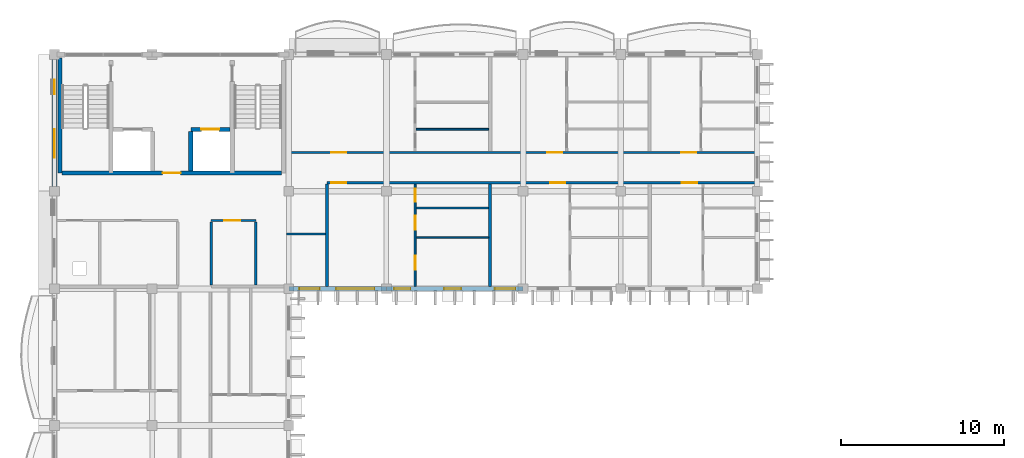
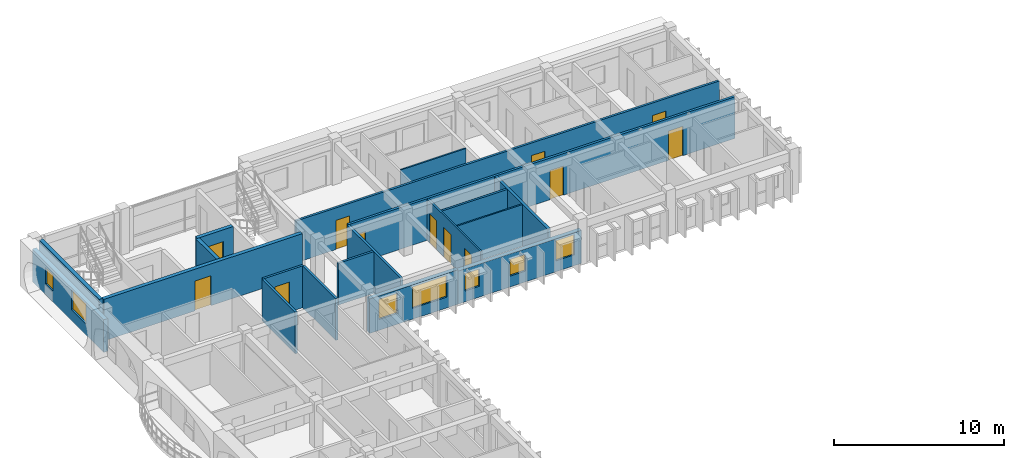
# One storey, part 19 of 59: 19 walls, 12 doors, 7 windows, 19 openings.
"""IFC4 building model written with IfcOpenShell, lengths in metres."""

from ifc_helpers import new_model, si_unit, direction, frame, frame_2d, origin, place, context, subcontext, project, spatial, rectangle, extrude, material, layer, layer_set, type_object, element, fill, save


model = new_model("IFC4")

# Units and contexts
model_context = context("Model", 3, precision=1e-05, world=origin(), true_north=direction((0.0, 1.0)))
body_context = subcontext(model_context, "Body", "Model", "MODEL_VIEW")
ifc_project = project(units=[si_unit("LENGTHUNIT", "METRE"), si_unit("AREAUNIT", "SQUARE_METRE"), si_unit("VOLUMEUNIT", "CUBIC_METRE"), si_unit("PLANEANGLEUNIT", "RADIAN"), si_unit("MASSUNIT", "GRAM", prefix="KILO"), si_unit("THERMODYNAMICTEMPERATUREUNIT", "KELVIN")], contexts=[model_context])

# Site, building, storey
site_placement = place(None, origin())
site = spatial("IfcSite", under=ifc_project, at=site_placement, CompositionType="ELEMENT")
building_placement = place(site_placement, origin())
building = spatial("IfcBuilding", under=site, at=building_placement, Name="Thalorik Housing Commons", CompositionType="ELEMENT")
storey_placement = place(building_placement, frame((0.0, 0.0, 27.89990234375)))
storey = spatial("IfcBuildingStorey", under=building, at=storey_placement, Name="L08", CompositionType="ELEMENT", Elevation=27.89990234375)

# Wall
ifc_material_1 = material(Name="Concrete C40/50", Category="concrete")
ifc_layer_1 = layer(ifc_material_1, 0.25, Name="Concrete C40/50", Category="concrete")
ifc_layer_set_1 = layer_set([ifc_layer_1], Name="Concrete C40/50")
wall_type_1 = type_object("IfcWallType", Name="ARC-WAL-CORE-250", PredefinedType="SHEAR", material=ifc_layer_set_1)
wall_1_placement = place(storey_placement, frame((8.72509765625, 123.39990234375, 0.0), z_axis=(0.0, 0.0, 1.0), x_axis=(0.0, -1.0, 0.0)))
element("IfcWall", 1, at=wall_1_placement, inside=storey, type_object=wall_type_1, Name="L08 Core A Stair 1 Outer Shear Wall", PredefinedType="SHEAR", context=body_context, shape_type="SweptSolid", body=[
    extrude(rectangle(XDim=7.074951171875, YDim=0.25, at=frame_2d((3.53759765625, 0.0))), origin(), (0.0, 0.0, 1.0), 3.0),
])

# Wall, opening, door
wall_2_placement = place(storey_placement, frame((16.77490234375, 119.0, 0.0), z_axis=(0.0, 0.0, 1.0), x_axis=(1.0, 0.0, 0.0)))
wall_2 = element("IfcWall", 2, at=wall_2_placement, inside=storey, type_object=wall_type_1, Name="L08 Lift LP-A2 Front Shaft Wall", PredefinedType="SHEAR", context=body_context, shape_type="SweptSolid", body=[
    extrude(rectangle(XDim=2.425048828125, YDim=0.25, at=frame_2d((1.21240234375, 0.0))), origin(), (0.0, 0.0, 1.0), 3.0),
])
opening_1_placement = place(wall_2_placement, frame((0.64990234375, 0.0, 0.0)))
opening_1 = element("IfcOpeningElement", 3, at=opening_1_placement, cuts=wall_2, Name="Opening LD-LP-A2-L08", PredefinedType="OPENING", context=body_context, shape_type="SweptSolid", body=[
    extrude(rectangle(XDim=1.10009765625, YDim=2.14990234375, at=frame_2d((0.550048828125, 1.074951171875))), frame((0.0, 0.135009765625, 0.0), z_axis=(0.0, -1.0, 0.0), x_axis=(1.0, 0.0, 0.0)), (0.0, 0.0, 1.0), 0.27001953125),
])
ifc_material_2 = material(Name="Steel S355", Category="steel")
door_type_1 = type_object("IfcDoorType", Name="ARC-DR-LIFT-1100", OperationType="NOTDEFINED", PredefinedType="DOOR", material=ifc_material_2)
door_1_placement = place(opening_1_placement, origin())
door_1 = element("IfcDoor", 4, at=door_1_placement, inside=storey, type_object=door_type_1, Name="L08 Lift LP-A2 Landing Door", OperationType="SLIDING_TO_LEFT", OverallHeight=2.14990234375, OverallWidth=1.10009765625, PredefinedType="DOOR", context=body_context, shape_type="SweptSolid", body=[
    extrude(rectangle(XDim=1.10009765625, YDim=2.14990234375, at=frame_2d((0.550048828125, 1.074951171875))), frame((0.0, 0.02490234375, 0.0), z_axis=(0.0, -1.0, 0.0), x_axis=(1.0, 0.0, 0.0)), (0.0, 0.0, 1.0), 0.050048828125),
])
fill(opening_1, door_1)

# Wall
wall_3_placement = place(storey_placement, frame((16.77490234375, 118.875, 0.0), z_axis=(0.0, 0.0, 1.0), x_axis=(0.0, -1.0, 0.0)))
element("IfcWall", 5, at=wall_3_placement, inside=storey, type_object=wall_type_1, Name="L08 Lift 2 Cheek Wall", PredefinedType="SHEAR", context=body_context, shape_type="SweptSolid", body=[
    extrude(rectangle(XDim=2.425048828125, YDim=0.25, at=frame_2d((1.21240234375, 0.0))), origin(), (0.0, 0.0, 1.0), 3.0),
])

# Wall, opening, door
wall_4_placement = place(storey_placement, frame((8.85009765625, 116.324951171875, 0.0), z_axis=(0.0, 0.0, 1.0), x_axis=(1.0, 0.0, 0.0)))
wall_4 = element("IfcWall", 6, at=wall_4_placement, inside=storey, type_object=wall_type_1, Name="L08 Core A Spine Shear Wall", PredefinedType="SHEAR", context=body_context, shape_type="SweptSolid", body=[
    extrude(rectangle(XDim=13.5, YDim=0.25, at=frame_2d((6.75, 0.0))), origin(), (0.0, 0.0, 1.0), 3.0),
])
opening_2_placement = place(wall_4_placement, frame((6.199951171875, 0.0, 0.0)))
opening_2 = element("IfcOpeningElement", 7, at=opening_2_placement, cuts=wall_4, Name="Opening ID-0077", PredefinedType="OPENING", context=body_context, shape_type="SweptSolid", body=[
    extrude(rectangle(XDim=1.10009765625, YDim=2.14990234375, at=frame_2d((0.550048828125, 1.074951171875))), frame((0.0, 0.135009765625, 0.0), z_axis=(0.0, -1.0, 0.0), x_axis=(1.0, 0.0, 0.0)), (0.0, 0.0, 1.0), 0.27001953125),
])
door_type_2 = type_object("IfcDoorType", Name="ARC-DR-FD60-1100", OperationType="NOTDEFINED", PredefinedType="DOOR", material=ifc_material_2)
door_2_placement = place(opening_2_placement, origin())
door_2 = element("IfcDoor", 8, at=door_2_placement, inside=storey, type_object=door_type_2, Name="L08 Core A Lobby Fire Door", OperationType="SINGLE_SWING_RIGHT", OverallHeight=2.14990234375, OverallWidth=1.10009765625, PredefinedType="DOOR", context=body_context, shape_type="SweptSolid", body=[
    extrude(rectangle(XDim=1.10009765625, YDim=2.14990234375, at=frame_2d((0.550048828125, 1.074951171875))), frame((0.0, 0.02490234375, 0.0), z_axis=(0.0, -1.0, 0.0), x_axis=(1.0, 0.0, 0.0)), (0.0, 0.0, 1.0), 0.050048828125),
])
fill(opening_2, door_2)

# Wall
ifc_material_3 = material(Name="Masonry fire-rated corridor wall", Category="masonry")
ifc_layer_2 = layer(ifc_material_3, 0.14990234375, Name="Masonry fire-rated corridor wall", Category="masonry")
ifc_layer_set_2 = layer_set([ifc_layer_2], Name="Masonry fire-rated corridor wall")
wall_type_2 = type_object("IfcWallType", Name="ARC-WAL-CORR-150", PredefinedType="PARTITIONING", material=ifc_layer_set_2)
wall_5_placement = place(storey_placement, frame((22.659912109375, 112.570068359375, 0.0), z_axis=(0.0, 0.0, 1.0), x_axis=(1.0, 0.0, 0.0)))
element("IfcWall", 9, at=wall_5_placement, inside=storey, type_object=wall_type_2, Name="L08 Block A Vestibule South Wall", PredefinedType="PARTITIONING", context=body_context, shape_type="SweptSolid", body=[
    extrude(rectangle(XDim=2.405517578125, YDim=0.14990234375, at=frame_2d((1.20263671875, 0.0))), origin(), (0.0, 0.0, 1.0), 3.0),
])

# Wall, openings, doors
wall_6_placement = place(storey_placement, frame((22.659912109375, 117.580078125, 0.0), z_axis=(0.0, 0.0, 1.0), x_axis=(1.0, 0.0, 0.0)))
wall_6 = element("IfcWall", 10, at=wall_6_placement, inside=storey, type_object=wall_type_2, Name="L08 Block A N Corridor Wall 2", PredefinedType="PARTITIONING", context=body_context, shape_type="SweptSolid", body=[
    extrude(rectangle(XDim=28.79296875, YDim=0.14990234375, at=frame_2d((14.396484375, 0.0))), origin(), (0.0, 0.0, 1.0), 3.0),
])
opening_3_placement = place(wall_6_placement, frame((2.739990234375, 0.0, 0.0)))
opening_3 = element("IfcOpeningElement", 11, at=opening_3_placement, cuts=wall_6, Name="Opening ID-0746", PredefinedType="OPENING", context=body_context, shape_type="SweptSolid", body=[
    extrude(rectangle(XDim=0.919921875, YDim=2.10009765625, at=frame_2d((0.4599609375, 1.050048828125))), frame((0.0, 0.0849609375, 0.0), z_axis=(0.0, -1.0, 0.0), x_axis=(1.0, 0.0, 0.0)), (0.0, 0.0, 1.0), 0.169921875),
])
opening_4_placement = place(wall_6_placement, frame((16.013916015625, 0.0, 0.0)))
opening_4 = element("IfcOpeningElement", 12, at=opening_4_placement, cuts=wall_6, Name="Opening ID-0747", PredefinedType="OPENING", context=body_context, shape_type="SweptSolid", body=[
    extrude(rectangle(XDim=0.919921875, YDim=2.10009765625, at=frame_2d((0.4599609375, 1.050048828125))), frame((0.0, 0.0849609375, 0.0), z_axis=(0.0, -1.0, 0.0), x_axis=(1.0, 0.0, 0.0)), (0.0, 0.0, 1.0), 0.169921875),
])
opening_5_placement = place(wall_6_placement, frame((24.2587890625, 0.0, 0.0)))
opening_5 = element("IfcOpeningElement", 13, at=opening_5_placement, cuts=wall_6, Name="Opening ID-0748", PredefinedType="OPENING", context=body_context, shape_type="SweptSolid", body=[
    extrude(rectangle(XDim=0.919921875, YDim=2.10009765625, at=frame_2d((0.4599609375, 1.050048828125))), frame((0.0, 0.0849609375, 0.0), z_axis=(0.0, -1.0, 0.0), x_axis=(1.0, 0.0, 0.0)), (0.0, 0.0, 1.0), 0.169921875),
])
ifc_material_4 = material(Name="Solid core hardwood timber", Category="wood")
door_type_3 = type_object("IfcDoorType", Name="ARC-DR-FD30-920", OperationType="NOTDEFINED", PredefinedType="DOOR", material=ifc_material_4)
door_3_placement = place(opening_3_placement, origin())
door_3 = element("IfcDoor", 14, at=door_3_placement, inside=storey, type_object=door_type_3, Name="L08 Flat AN-1B Entrance Door", OperationType="SINGLE_SWING_LEFT", OverallHeight=2.10009765625, OverallWidth=0.919921875, PredefinedType="DOOR", context=body_context, shape_type="SweptSolid", body=[
    extrude(rectangle(XDim=0.919921875, YDim=2.10009765625, at=frame_2d((0.4599609375, 1.050048828125))), frame((0.0, 0.02490234375, 0.0), z_axis=(0.0, -1.0, 0.0), x_axis=(1.0, 0.0, 0.0)), (0.0, 0.0, 1.0), 0.050048828125),
])
fill(opening_3, door_3)
door_4_placement = place(opening_4_placement, origin())
door_4 = element("IfcDoor", 15, at=door_4_placement, inside=storey, type_object=door_type_3, Name="L08 Flat AN-2B Entrance Door", OperationType="SINGLE_SWING_RIGHT", OverallHeight=2.10009765625, OverallWidth=0.919921875, PredefinedType="DOOR", context=body_context, shape_type="SweptSolid", body=[
    extrude(rectangle(XDim=0.919921875, YDim=2.10009765625, at=frame_2d((0.4599609375, 1.050048828125))), frame((0.0, 0.02490234375, 0.0), z_axis=(0.0, -1.0, 0.0), x_axis=(1.0, 0.0, 0.0)), (0.0, 0.0, 1.0), 0.050048828125),
])
fill(opening_4, door_4)
door_5_placement = place(opening_5_placement, origin())
door_5 = element("IfcDoor", 16, at=door_5_placement, inside=storey, type_object=door_type_3, Name="L08 Flat AN-3B Entrance Door", OperationType="SINGLE_SWING_LEFT", OverallHeight=2.10009765625, OverallWidth=0.919921875, PredefinedType="DOOR", context=body_context, shape_type="SweptSolid", body=[
    extrude(rectangle(XDim=0.919921875, YDim=2.10009765625, at=frame_2d((0.4599609375, 1.050048828125))), frame((0.0, 0.02490234375, 0.0), z_axis=(0.0, -1.0, 0.0), x_axis=(1.0, 0.0, 0.0)), (0.0, 0.0, 1.0), 0.050048828125),
])
fill(opening_5, door_5)

# Wall
ifc_layer_3 = layer(ifc_material_3, 0.1650390625, Name="Masonry fire-rated corridor wall", Category="masonry")
ifc_layer_set_3 = layer_set([ifc_layer_3], Name="Masonry fire-rated corridor wall")
wall_type_3 = type_object("IfcWallType", Name="ARC-WAL-CORR-165", PredefinedType="PARTITIONING", material=ifc_layer_set_3)
wall_7_placement = place(storey_placement, frame((25.14990234375, 109.346923828125, 0.0), z_axis=(0.0, 0.0, 1.0), x_axis=(0.0, 1.0, 0.0)))
element("IfcWall", 17, at=wall_7_placement, inside=storey, type_object=wall_type_3, Name="L08 Block A Vestibule Cheek Wall", PredefinedType="PARTITIONING", context=body_context, shape_type="SweptSolid", body=[
    extrude(rectangle(XDim=6.28857421875, YDim=0.1650390625, at=frame_2d((3.144287109375, 0.0))), origin(), (0.0, 0.0, 1.0), 3.0),
])

# Wall, openings, doors
wall_8_placement = place(storey_placement, frame((25.14990234375, 115.719970703125, 0.0), z_axis=(0.0, 0.0, 1.0), x_axis=(1.0, 0.0, 0.0)))
wall_8 = element("IfcWall", 18, at=wall_8_placement, inside=storey, type_object=wall_type_3, Name="L08 Block A N Corridor Wall 1", PredefinedType="PARTITIONING", context=body_context, shape_type="SweptSolid", body=[
    extrude(rectangle(XDim=26.302978515625, YDim=0.1650390625, at=frame_2d((13.1513671875, 0.0))), origin(), (0.0, 0.0, 1.0), 3.0),
])
opening_6_placement = place(wall_8_placement, frame((0.25, 0.0, 0.0)))
opening_6 = element("IfcOpeningElement", 19, at=opening_6_placement, cuts=wall_8, Name="Opening ID-0743", PredefinedType="OPENING", context=body_context, shape_type="SweptSolid", body=[
    extrude(rectangle(XDim=0.919921875, YDim=2.10009765625, at=frame_2d((0.4599609375, 1.050048828125))), frame((0.0, 0.092529296875, 0.0), z_axis=(0.0, -1.0, 0.0), x_axis=(1.0, 0.0, 0.0)), (0.0, 0.0, 1.0), 0.18505859375),
])
opening_7_placement = place(wall_8_placement, frame((13.719970703125, 0.0, 0.0)))
opening_7 = element("IfcOpeningElement", 20, at=opening_7_placement, cuts=wall_8, Name="Opening ID-0744", PredefinedType="OPENING", context=body_context, shape_type="SweptSolid", body=[
    extrude(rectangle(XDim=0.919921875, YDim=2.10009765625, at=frame_2d((0.4599609375, 1.050048828125))), frame((0.0, 0.092529296875, 0.0), z_axis=(0.0, -1.0, 0.0), x_axis=(1.0, 0.0, 0.0)), (0.0, 0.0, 1.0), 0.18505859375),
])
opening_8_placement = place(wall_8_placement, frame((21.786376953125, 0.0, 0.0)))
opening_8 = element("IfcOpeningElement", 21, at=opening_8_placement, cuts=wall_8, Name="Opening ID-0745", PredefinedType="OPENING", context=body_context, shape_type="SweptSolid", body=[
    extrude(rectangle(XDim=0.9599609375, YDim=2.1201171875, at=frame_2d((0.47998046875, 1.06005859375))), frame((0.0, 0.092529296875, 0.0), z_axis=(0.0, -1.0, 0.0), x_axis=(1.0, 0.0, 0.0)), (0.0, 0.0, 1.0), 0.18505859375),
])
door_6_placement = place(opening_6_placement, origin())
door_6 = element("IfcDoor", 22, at=door_6_placement, inside=storey, type_object=door_type_3, Name="L08 Flat AN-1A Entrance Door", OperationType="SINGLE_SWING_RIGHT", OverallHeight=2.10009765625, OverallWidth=0.919921875, PredefinedType="DOOR", context=body_context, shape_type="SweptSolid", body=[
    extrude(rectangle(XDim=0.919921875, YDim=2.10009765625, at=frame_2d((0.4599609375, 1.050048828125))), frame((0.0, 0.02490234375, 0.0), z_axis=(0.0, -1.0, 0.0), x_axis=(1.0, 0.0, 0.0)), (0.0, 0.0, 1.0), 0.050048828125),
])
fill(opening_6, door_6)
door_7_placement = place(opening_7_placement, origin())
door_7 = element("IfcDoor", 23, at=door_7_placement, inside=storey, type_object=door_type_3, Name="L08 Flat AN-2A Entrance Door", OperationType="SINGLE_SWING_LEFT", OverallHeight=2.10009765625, OverallWidth=0.919921875, PredefinedType="DOOR", context=body_context, shape_type="SweptSolid", body=[
    extrude(rectangle(XDim=0.919921875, YDim=2.10009765625, at=frame_2d((0.4599609375, 1.050048828125))), frame((0.0, 0.02490234375, 0.0), z_axis=(0.0, -1.0, 0.0), x_axis=(1.0, 0.0, 0.0)), (0.0, 0.0, 1.0), 0.050048828125),
])
fill(opening_7, door_7)
door_type_4 = type_object("IfcDoorType", Name="ARC-DR-FD30-960", OperationType="NOTDEFINED", PredefinedType="DOOR", material=ifc_material_4)
door_8_placement = place(opening_8_placement, origin())
door_8 = element("IfcDoor", 24, at=door_8_placement, inside=storey, type_object=door_type_4, Name="L08 Flat AN-3A Entrance Door", OperationType="SINGLE_SWING_RIGHT", OverallHeight=2.1201171875, OverallWidth=0.9599609375, PredefinedType="DOOR", context=body_context, shape_type="SweptSolid", body=[
    extrude(rectangle(XDim=0.9599609375, YDim=2.1201171875, at=frame_2d((0.47998046875, 1.06005859375))), frame((0.0, 0.02490234375, 0.0), z_axis=(0.0, -1.0, 0.0), x_axis=(1.0, 0.0, 0.0)), (0.0, 0.0, 1.0), 0.050048828125),
])
fill(opening_8, door_8)

# Wall, openings, windows
ifc_material_5 = material(Name="White precast concrete C40/50", Category="concrete")
ifc_layer_4 = layer(ifc_material_5, 0.2900390625, Name="White precast concrete C40/50", Category="concrete")
ifc_layer_set_4 = layer_set([ifc_layer_4], Name="White precast concrete C40/50")
wall_type_4 = type_object("IfcWallType", Name="ARC-WAL-EXT-290", PredefinedType="STANDARD", material=ifc_layer_set_4)
wall_9_placement = place(storey_placement, frame((22.800048828125, 109.199951171875, 0.0), z_axis=(0.0, 0.0, 1.0), x_axis=(1.0, 0.0, 0.0)))
wall_9 = element("IfcWall", 25, at=wall_9_placement, inside=storey, type_object=wall_type_4, Name="L08 Exterior Wall WAL-EXT-L08-A-0213", PredefinedType="STANDARD", context=body_context, shape_type="SweptSolid", body=[
    extrude(rectangle(XDim=6.0, YDim=0.2900390625, at=frame_2d((3.0, 0.0))), origin(), (0.0, 0.0, 1.0), 2.47509765625),
])
opening_9_placement = place(wall_9_placement, frame((0.64501953125, 0.0, 0.780029296875)))
opening_9 = element("IfcOpeningElement", 26, at=opening_9_placement, cuts=wall_9, Name="Opening W-47", PredefinedType="OPENING", context=body_context, shape_type="SweptSolid", body=[
    extrude(rectangle(XDim=1.25, YDim=1.449951171875, at=frame_2d((0.625, 0.72509765625))), frame((0.0, 0.155029296875, 0.0), z_axis=(0.0, -1.0, 0.0), x_axis=(1.0, 0.0, 0.0)), (0.0, 0.0, 1.0), 0.31005859375),
])
opening_10_placement = place(wall_9_placement, frame((2.905029296875, 0.0, 0.780029296875)))
opening_10 = element("IfcOpeningElement", 27, at=opening_10_placement, cuts=wall_9, Name="Opening W-33", PredefinedType="OPENING", context=body_context, shape_type="SweptSolid", body=[
    extrude(rectangle(XDim=2.35009765625, YDim=1.550048828125, at=frame_2d((1.175048828125, 0.77490234375))), frame((0.0, 0.155029296875, 0.0), z_axis=(0.0, -1.0, 0.0), x_axis=(1.0, 0.0, 0.0)), (0.0, 0.0, 1.0), 0.31005859375),
])
ifc_material_6 = material(Name="Anodised aluminium and solar-control low-E glass", Category="aluminium")
window_type_1 = type_object("IfcWindowType", Name="ARC-WIN-33", PartitioningType="DOUBLE_PANEL_VERTICAL", PredefinedType="WINDOW", material=ifc_material_6)
window_1_placement = place(opening_10_placement, origin())
window_1 = element("IfcWindow", 28, at=window_1_placement, inside=storey, type_object=window_type_1, Name="L08 Facade Window 380", OverallHeight=1.550048828125, OverallWidth=2.35009765625, PartitioningType="DOUBLE_PANEL_VERTICAL", PredefinedType="WINDOW", context=body_context, shape_type="SweptSolid", body=[
    extrude(rectangle(XDim=2.35009765625, YDim=1.550048828125, at=frame_2d((1.175048828125, 0.77490234375))), frame((0.0, 0.030029296875, 0.0), z_axis=(0.0, -1.0, 0.0), x_axis=(1.0, 0.0, 0.0)), (0.0, 0.0, 1.0), 0.06005859375),
])
fill(opening_10, window_1)
window_type_2 = type_object("IfcWindowType", Name="ARC-WIN-47", PartitioningType="SINGLE_PANEL", PredefinedType="WINDOW", material=ifc_material_6)
window_2_placement = place(opening_9_placement, origin())
window_2 = element("IfcWindow", 29, at=window_2_placement, inside=storey, type_object=window_type_2, Name="L08 Facade Window 379", OverallHeight=1.449951171875, OverallWidth=1.25, PartitioningType="SINGLE_PANEL", PredefinedType="WINDOW", context=body_context, shape_type="SweptSolid", body=[
    extrude(rectangle(XDim=1.25, YDim=1.449951171875, at=frame_2d((0.625, 0.72509765625))), frame((0.0, 0.030029296875, 0.0), z_axis=(0.0, -1.0, 0.0), x_axis=(1.0, 0.0, 0.0)), (0.0, 0.0, 1.0), 0.06005859375),
])
fill(opening_9, window_2)

wall_10_placement = place(storey_placement, frame((28.800048828125, 109.199951171875, 0.0), z_axis=(0.0, 0.0, 1.0), x_axis=(1.0, 0.0, 0.0)))
wall_10 = element("IfcWall", 30, at=wall_10_placement, inside=storey, type_object=wall_type_4, Name="L08 Exterior Wall WAL-EXT-L08-A-0214", PredefinedType="STANDARD", context=body_context, shape_type="SweptSolid", body=[
    extrude(rectangle(XDim=8.39990234375, YDim=0.2900390625, at=frame_2d((4.199951171875, 0.0))), origin(), (0.0, 0.0, 1.0), 2.375),
])
opening_11_placement = place(wall_10_placement, frame((0.4775390625, 0.0, 0.780029296875)))
opening_11 = element("IfcOpeningElement", 31, at=opening_11_placement, cuts=wall_10, Name="Opening W-02", PredefinedType="OPENING", context=body_context, shape_type="SweptSolid", body=[
    extrude(rectangle(XDim=1.0, YDim=1.25, at=frame_2d((0.5, 0.625))), frame((0.0, 0.155029296875, 0.0), z_axis=(0.0, -1.0, 0.0), x_axis=(1.0, 0.0, 0.0)), (0.0, 0.0, 1.0), 0.31005859375),
])
opening_12_placement = place(wall_10_placement, frame((3.547607421875, 0.0, 0.780029296875)))
opening_12 = element("IfcOpeningElement", 32, at=opening_12_placement, cuts=wall_10, Name="Opening W-44", PredefinedType="OPENING", context=body_context, shape_type="SweptSolid", body=[
    extrude(rectangle(XDim=1.050048828125, YDim=1.199951171875, at=frame_2d((0.52490234375, 0.60009765625))), frame((0.0, 0.155029296875, 0.0), z_axis=(0.0, -1.0, 0.0), x_axis=(1.0, 0.0, 0.0)), (0.0, 0.0, 1.0), 0.31005859375),
])
opening_13_placement = place(wall_10_placement, frame((6.669921875, 0.0, 0.780029296875)))
opening_13 = element("IfcOpeningElement", 33, at=opening_13_placement, cuts=wall_10, Name="Opening W-47", PredefinedType="OPENING", context=body_context, shape_type="SweptSolid", body=[
    extrude(rectangle(XDim=1.25, YDim=1.449951171875, at=frame_2d((0.625, 0.72509765625))), frame((0.0, 0.155029296875, 0.0), z_axis=(0.0, -1.0, 0.0), x_axis=(1.0, 0.0, 0.0)), (0.0, 0.0, 1.0), 0.31005859375),
])
window_type_3 = type_object("IfcWindowType", Name="ARC-WIN-02", PartitioningType="SINGLE_PANEL", PredefinedType="WINDOW", material=ifc_material_6)
window_3_placement = place(opening_11_placement, origin())
window_3 = element("IfcWindow", 34, at=window_3_placement, inside=storey, type_object=window_type_3, Name="L08 Facade Window 381", OverallHeight=1.25, OverallWidth=1.0, PartitioningType="SINGLE_PANEL", PredefinedType="WINDOW", context=body_context, shape_type="SweptSolid", body=[
    extrude(rectangle(XDim=1.0, YDim=1.25, at=frame_2d((0.5, 0.625))), frame((0.0, 0.030029296875, 0.0), z_axis=(0.0, -1.0, 0.0), x_axis=(1.0, 0.0, 0.0)), (0.0, 0.0, 1.0), 0.06005859375),
])
fill(opening_11, window_3)
window_type_4 = type_object("IfcWindowType", Name="ARC-WIN-44", PartitioningType="SINGLE_PANEL", PredefinedType="WINDOW", material=ifc_material_6)
window_4_placement = place(opening_12_placement, origin())
window_4 = element("IfcWindow", 35, at=window_4_placement, inside=storey, type_object=window_type_4, Name="L08 Facade Window 382", OverallHeight=1.199951171875, OverallWidth=1.050048828125, PartitioningType="SINGLE_PANEL", PredefinedType="WINDOW", context=body_context, shape_type="SweptSolid", body=[
    extrude(rectangle(XDim=1.050048828125, YDim=1.199951171875, at=frame_2d((0.52490234375, 0.60009765625))), frame((0.0, 0.030029296875, 0.0), z_axis=(0.0, -1.0, 0.0), x_axis=(1.0, 0.0, 0.0)), (0.0, 0.0, 1.0), 0.06005859375),
])
fill(opening_12, window_4)
window_5_placement = place(opening_13_placement, origin())
window_5 = element("IfcWindow", 36, at=window_5_placement, inside=storey, type_object=window_type_2, Name="L08 Facade Window 383", OverallHeight=1.449951171875, OverallWidth=1.25, PartitioningType="SINGLE_PANEL", PredefinedType="WINDOW", context=body_context, shape_type="SweptSolid", body=[
    extrude(rectangle(XDim=1.25, YDim=1.449951171875, at=frame_2d((0.625, 0.72509765625))), frame((0.0, 0.030029296875, 0.0), z_axis=(0.0, -1.0, 0.0), x_axis=(1.0, 0.0, 0.0)), (0.0, 0.0, 1.0), 0.06005859375),
])
fill(opening_13, window_5)

wall_11_placement = place(storey_placement, frame((8.39990234375, 123.60009765625, 0.0), z_axis=(0.0, 0.0, 1.0), x_axis=(0.0, -1.0, 0.0)))
wall_11 = element("IfcWall", 37, at=wall_11_placement, inside=storey, type_object=wall_type_4, Name="L08 Exterior Wall WAL-EXT-L08-A-0225", PredefinedType="STANDARD", context=body_context, shape_type="SweptSolid", body=[
    extrude(rectangle(XDim=8.400146484375, YDim=0.2900390625, at=frame_2d((4.2001953125, 0.0))), origin(), (0.0, 0.0, 1.0), 2.34521484375),
])
opening_14_placement = place(wall_11_placement, frame((1.54638671875, 0.0, 0.780029296875)))
opening_14 = element("IfcOpeningElement", 38, at=opening_14_placement, cuts=wall_11, Name="Opening W-01", PredefinedType="OPENING", context=body_context, shape_type="SweptSolid", body=[
    extrude(rectangle(XDim=0.89990234375, YDim=1.199951171875, at=frame_2d((0.449951171875, 0.60009765625))), frame((0.0, 0.155029296875, 0.0), z_axis=(0.0, -1.0, 0.0), x_axis=(1.0, 0.0, 0.0)), (0.0, 0.0, 1.0), 0.31005859375),
])
opening_15_placement = place(wall_11_placement, frame((4.59375, 0.0, 0.780029296875)))
opening_15 = element("IfcOpeningElement", 39, at=opening_15_placement, cuts=wall_11, Name="Opening W-17", PredefinedType="OPENING", context=body_context, shape_type="SweptSolid", body=[
    extrude(rectangle(XDim=1.75, YDim=1.449951171875, at=frame_2d((0.875, 0.72509765625))), frame((0.0, 0.155029296875, 0.0), z_axis=(0.0, -1.0, 0.0), x_axis=(1.0, 0.0, 0.0)), (0.0, 0.0, 1.0), 0.31005859375),
])
window_type_5 = type_object("IfcWindowType", Name="ARC-WIN-01", PartitioningType="SINGLE_PANEL", PredefinedType="WINDOW", material=ifc_material_6)
window_6_placement = place(opening_14_placement, origin())
window_6 = element("IfcWindow", 40, at=window_6_placement, inside=storey, type_object=window_type_5, Name="L08 Facade Window 401", OverallHeight=1.199951171875, OverallWidth=0.89990234375, PartitioningType="SINGLE_PANEL", PredefinedType="WINDOW", context=body_context, shape_type="SweptSolid", body=[
    extrude(rectangle(XDim=0.89990234375, YDim=1.199951171875, at=frame_2d((0.449951171875, 0.60009765625))), frame((0.0, 0.030029296875, 0.0), z_axis=(0.0, -1.0, 0.0), x_axis=(1.0, 0.0, 0.0)), (0.0, 0.0, 1.0), 0.06005859375),
])
fill(opening_14, window_6)
window_type_6 = type_object("IfcWindowType", Name="ARC-WIN-17", PartitioningType="DOUBLE_PANEL_VERTICAL", PredefinedType="WINDOW", material=ifc_material_6)
window_7_placement = place(opening_15_placement, origin())
window_7 = element("IfcWindow", 41, at=window_7_placement, inside=storey, type_object=window_type_6, Name="L08 Facade Window 402", OverallHeight=1.449951171875, OverallWidth=1.75, PartitioningType="DOUBLE_PANEL_VERTICAL", PredefinedType="WINDOW", context=body_context, shape_type="SweptSolid", body=[
    extrude(rectangle(XDim=1.75, YDim=1.449951171875, at=frame_2d((0.875, 0.72509765625))), frame((0.0, 0.030029296875, 0.0), z_axis=(0.0, -1.0, 0.0), x_axis=(1.0, 0.0, 0.0)), (0.0, 0.0, 1.0), 0.06005859375),
])
fill(opening_15, window_7)

# Walls
ifc_material_7 = material(Name="Gypsum light stud partition", Category="masonry")
ifc_layer_5 = layer(ifc_material_7, 0.10009765625, Name="Gypsum light stud partition", Category="masonry")
ifc_layer_set_5 = layer_set([ifc_layer_5], Name="Gypsum light stud partition")
wall_type_5 = type_object("IfcWallType", Name="ARC-WAL-PART-100", PredefinedType="PARTITIONING", material=ifc_layer_set_5)
wall_12_placement = place(storey_placement, frame((30.62451171875, 112.36083984375, 0.0), z_axis=(0.0, 0.0, 1.0), x_axis=(1.0, 0.0, 0.0)))
element("IfcWall", 42, at=wall_12_placement, inside=storey, type_object=wall_type_5, Name="L08 Unit 1 Bedroom Partition", PredefinedType="PARTITIONING", context=body_context, shape_type="SweptSolid", body=[
    extrude(rectangle(XDim=4.4609375, YDim=0.10009765625, at=frame_2d((2.23046875, 0.0))), origin(), (0.0, 0.0, 1.0), 3.0),
])
wall_13_placement = place(storey_placement, frame((30.62890625, 119.010498046875, 0.0), z_axis=(0.0, 0.0, 1.0), x_axis=(1.0, 0.0, 0.0)))
element("IfcWall", 43, at=wall_13_placement, inside=storey, type_object=wall_type_5, Name="L08 Unit 1B Wet Wall", PredefinedType="PARTITIONING", context=body_context, shape_type="SweptSolid", body=[
    extrude(rectangle(XDim=4.448974609375, YDim=0.10009765625, at=frame_2d((2.224609375, 0.0))), origin(), (0.0, 0.0, 1.0), 3.0),
])

# Wall, openings, doors
ifc_material_8 = material(Name="Gypsum moisture-resistant partition", Category="masonry")
ifc_layer_6 = layer(ifc_material_8, 0.114990234375, Name="Gypsum moisture-resistant partition", Category="masonry")
ifc_layer_set_6 = layer_set([ifc_layer_6], Name="Gypsum moisture-resistant partition")
wall_type_6 = type_object("IfcWallType", Name="ARC-WAL-PART-115", PredefinedType="PARTITIONING", material=ifc_layer_set_6)
wall_14_placement = place(storey_placement, frame((30.56494140625, 109.346923828125, 0.0), z_axis=(0.0, 0.0, 1.0), x_axis=(0.0, 1.0, 0.0)))
wall_14 = element("IfcWall", 44, at=wall_14_placement, inside=storey, type_object=wall_type_6, Name="L08 Unit 1 Spine Partition", PredefinedType="PARTITIONING", context=body_context, shape_type="SweptSolid", body=[
    extrude(rectangle(XDim=6.28857421875, YDim=0.114990234375, at=frame_2d((3.144287109375, 0.0))), origin(), (0.0, 0.0, 1.0), 3.0),
])
opening_16_placement = place(wall_14_placement, frame((1.038330078125, 0.0, 0.0)))
opening_16 = element("IfcOpeningElement", 45, at=opening_16_placement, cuts=wall_14, Name="Opening ID-0725", PredefinedType="OPENING", context=body_context, shape_type="SweptSolid", body=[
    extrude(rectangle(XDim=0.85009765625, YDim=2.10009765625, at=frame_2d((0.425048828125, 1.050048828125))), frame((0.0, 0.0673828125, 0.0), z_axis=(0.0, -1.0, 0.0), x_axis=(1.0, 0.0, 0.0)), (0.0, 0.0, 1.0), 0.135009765625),
])
opening_17_placement = place(wall_14_placement, frame((3.4931640625, 0.0, 0.0)))
opening_17 = element("IfcOpeningElement", 46, at=opening_17_placement, cuts=wall_14, Name="Opening ID-0726", PredefinedType="OPENING", context=body_context, shape_type="SweptSolid", body=[
    extrude(rectangle(XDim=0.85009765625, YDim=2.10009765625, at=frame_2d((0.425048828125, 1.050048828125))), frame((0.0, 0.0673828125, 0.0), z_axis=(0.0, -1.0, 0.0), x_axis=(1.0, 0.0, 0.0)), (0.0, 0.0, 1.0), 0.135009765625),
])
opening_18_placement = place(wall_14_placement, frame((5.19775390625, 0.0, 0.0)))
opening_18 = element("IfcOpeningElement", 47, at=opening_18_placement, cuts=wall_14, Name="Opening ID-0727", PredefinedType="OPENING", context=body_context, shape_type="SweptSolid", body=[
    extrude(rectangle(XDim=0.800048828125, YDim=2.10009765625, at=frame_2d((0.39990234375, 1.050048828125))), frame((0.0, 0.0673828125, 0.0), z_axis=(0.0, -1.0, 0.0), x_axis=(1.0, 0.0, 0.0)), (0.0, 0.0, 1.0), 0.135009765625),
])
ifc_material_9 = material(Name="Moisture-resistant timber", Category="wood")
door_type_5 = type_object("IfcDoorType", Name="ARC-DR-INT-800", OperationType="NOTDEFINED", PredefinedType="DOOR", material=ifc_material_9)
door_9_placement = place(opening_18_placement, origin())
door_9 = element("IfcDoor", 48, at=door_9_placement, inside=storey, type_object=door_type_5, Name="L08 Flat Bathroom Door", OperationType="SINGLE_SWING_RIGHT", OverallHeight=2.10009765625, OverallWidth=0.800048828125, PredefinedType="DOOR", context=body_context, shape_type="SweptSolid", body=[
    extrude(rectangle(XDim=0.800048828125, YDim=2.10009765625, at=frame_2d((0.39990234375, 1.050048828125))), frame((0.0, 0.02490234375, 0.0), z_axis=(0.0, -1.0, 0.0), x_axis=(1.0, 0.0, 0.0)), (0.0, 0.0, 1.0), 0.050048828125),
])
fill(opening_18, door_9)
ifc_material_10 = material(Name="Engineered oak timber", Category="wood")
door_type_6 = type_object("IfcDoorType", Name="ARC-DR-INT-850", OperationType="NOTDEFINED", PredefinedType="DOOR", material=ifc_material_10)
door_10_placement = place(opening_16_placement, origin())
door_10 = element("IfcDoor", 49, at=door_10_placement, inside=storey, type_object=door_type_6, Name="L08 Master Bedroom Door", OperationType="SINGLE_SWING_RIGHT", OverallHeight=2.10009765625, OverallWidth=0.85009765625, PredefinedType="DOOR", context=body_context, shape_type="SweptSolid", body=[
    extrude(rectangle(XDim=0.85009765625, YDim=2.10009765625, at=frame_2d((0.425048828125, 1.050048828125))), frame((0.0, 0.02490234375, 0.0), z_axis=(0.0, -1.0, 0.0), x_axis=(1.0, 0.0, 0.0)), (0.0, 0.0, 1.0), 0.050048828125),
])
fill(opening_16, door_10)
door_11_placement = place(opening_17_placement, origin())
door_11 = element("IfcDoor", 50, at=door_11_placement, inside=storey, type_object=door_type_6, Name="L08 Eat-In Kitchen Door", OperationType="SINGLE_SWING_LEFT", OverallHeight=2.10009765625, OverallWidth=0.85009765625, PredefinedType="DOOR", context=body_context, shape_type="SweptSolid", body=[
    extrude(rectangle(XDim=0.85009765625, YDim=2.10009765625, at=frame_2d((0.425048828125, 1.050048828125))), frame((0.0, 0.02490234375, 0.0), z_axis=(0.0, -1.0, 0.0), x_axis=(1.0, 0.0, 0.0)), (0.0, 0.0, 1.0), 0.050048828125),
])
fill(opening_17, door_11)

# Walls
ifc_material_11 = material(Name="Ceramic masonry partition wall", Category="masonry")
ifc_layer_7 = layer(ifc_material_11, 0.139892578125, Name="Ceramic masonry partition wall", Category="masonry")
ifc_layer_set_7 = layer_set([ifc_layer_7], Name="Ceramic masonry partition wall")
wall_type_7 = type_object("IfcWallType", Name="ARC-WAL-PART-140", PredefinedType="PARTITIONING", material=ifc_layer_set_7)
wall_15_placement = place(storey_placement, frame((30.62451171875, 114.169677734375, 0.0), z_axis=(0.0, 0.0, 1.0), x_axis=(1.0, 0.0, 0.0)))
element("IfcWall", 51, at=wall_15_placement, inside=storey, type_object=wall_type_7, Name="L08 Unit 1 Wet Wall", PredefinedType="PARTITIONING", context=body_context, shape_type="SweptSolid", body=[
    extrude(rectangle(XDim=4.4609375, YDim=0.139892578125, at=frame_2d((2.23046875, 0.0))), origin(), (0.0, 0.0, 1.0), 3.0),
])
ifc_layer_8 = layer(ifc_material_11, 0.14794921875, Name="Ceramic masonry partition wall", Category="masonry")
ifc_layer_set_8 = layer_set([ifc_layer_8], Name="Ceramic masonry partition wall")
wall_type_8 = type_object("IfcWallType", Name="ARC-WAL-PART-150", PredefinedType="PARTITIONING", material=ifc_layer_set_8)
for number, where, z_axis, x_axis, name in (
    (52, (18.02490234375, 113.323974609375, 0.0), (0.0, 0.0, 1.0), (0.0, -1.0, 0.0), "Core Stem East Cheek Wall"),
    (53, (20.780029296875, 113.323974609375, 0.0), (0.0, 0.0, 1.0), (0.0, -1.0, 0.0), "Core East Enclosing Wall"),
):
    element("IfcWall", number, at=place(storey_placement, frame(where, z_axis=z_axis, x_axis=x_axis)), inside=storey, type_object=wall_type_8, Name=name, PredefinedType="PARTITIONING", context=body_context, shape_type="SweptSolid", body=[
        extrude(rectangle(XDim=3.889404296875, YDim=0.14794921875, at=frame_2d((1.94482421875, 0.0))), origin(), (0.0, 0.0, 1.0), 3.0),
    ])

# Wall, opening, door
wall_16_placement = place(storey_placement, frame((18.02490234375, 113.39990234375, 0.0), z_axis=(0.0, 0.0, 1.0), x_axis=(1.0, 0.0, 0.0)))
wall_16 = element("IfcWall", 54, at=wall_16_placement, inside=storey, type_object=wall_type_8, Name="L08 Core A East Corridor Partition", PredefinedType="PARTITIONING", context=body_context, shape_type="SweptSolid", body=[
    extrude(rectangle(XDim=2.755126953125, YDim=0.14794921875, at=frame_2d((1.37744140625, 0.0))), origin(), (0.0, 0.0, 1.0), 3.0),
])
opening_19_placement = place(wall_16_placement, frame((0.800048828125, 0.0, 0.0)))
opening_19 = element("IfcOpeningElement", 55, at=opening_19_placement, cuts=wall_16, Name="Opening ID-0080", PredefinedType="OPENING", context=body_context, shape_type="SweptSolid", body=[
    extrude(rectangle(XDim=1.0, YDim=2.14990234375, at=frame_2d((0.5, 1.074951171875))), frame((0.0, 0.083984375, 0.0), z_axis=(0.0, -1.0, 0.0), x_axis=(1.0, 0.0, 0.0)), (0.0, 0.0, 1.0), 0.16796875),
])
door_type_7 = type_object("IfcDoorType", Name="ARC-DR-FD60-1000", OperationType="NOTDEFINED", PredefinedType="DOOR", material=ifc_material_2)
door_12_placement = place(opening_19_placement, origin())
door_12 = element("IfcDoor", 56, at=door_12_placement, inside=storey, type_object=door_type_7, Name="Core Hub Room Door", OperationType="SINGLE_SWING_LEFT", OverallHeight=2.14990234375, OverallWidth=1.0, PredefinedType="DOOR", context=body_context, shape_type="SweptSolid", body=[
    extrude(rectangle(XDim=1.0, YDim=2.14990234375, at=frame_2d((0.5, 1.074951171875))), frame((0.0, 0.02490234375, 0.0), z_axis=(0.0, -1.0, 0.0), x_axis=(1.0, 0.0, 0.0)), (0.0, 0.0, 1.0), 0.050048828125),
])
fill(opening_19, door_12)

# Wall
ifc_material_12 = material(Name="Masonry acoustic blockwork wall", Category="masonry")
ifc_layer_9 = layer(ifc_material_12, 0.18505859375, Name="Masonry acoustic blockwork wall", Category="masonry")
ifc_layer_set_9 = layer_set([ifc_layer_9], Name="Masonry acoustic blockwork wall")
wall_type_9 = type_object("IfcWallType", Name="ARC-WAL-PARTY-185", PredefinedType="PARTITIONING", material=ifc_layer_set_9)
wall_17_placement = place(storey_placement, frame((35.179931640625, 109.346923828125, 0.0), z_axis=(0.0, 0.0, 1.0), x_axis=(0.0, 1.0, 0.0)))
element("IfcWall", 57, at=wall_17_placement, inside=storey, type_object=wall_type_9, Name="L08 Inter-Tenancy Wall 1A", PredefinedType="PARTITIONING", context=body_context, shape_type="SweptSolid", body=[
    extrude(rectangle(XDim=6.28857421875, YDim=0.18505859375, at=frame_2d((3.144287109375, 0.0))), origin(), (0.0, 0.0, 1.0), 3.0),
])

save(model, "model.ifc")
